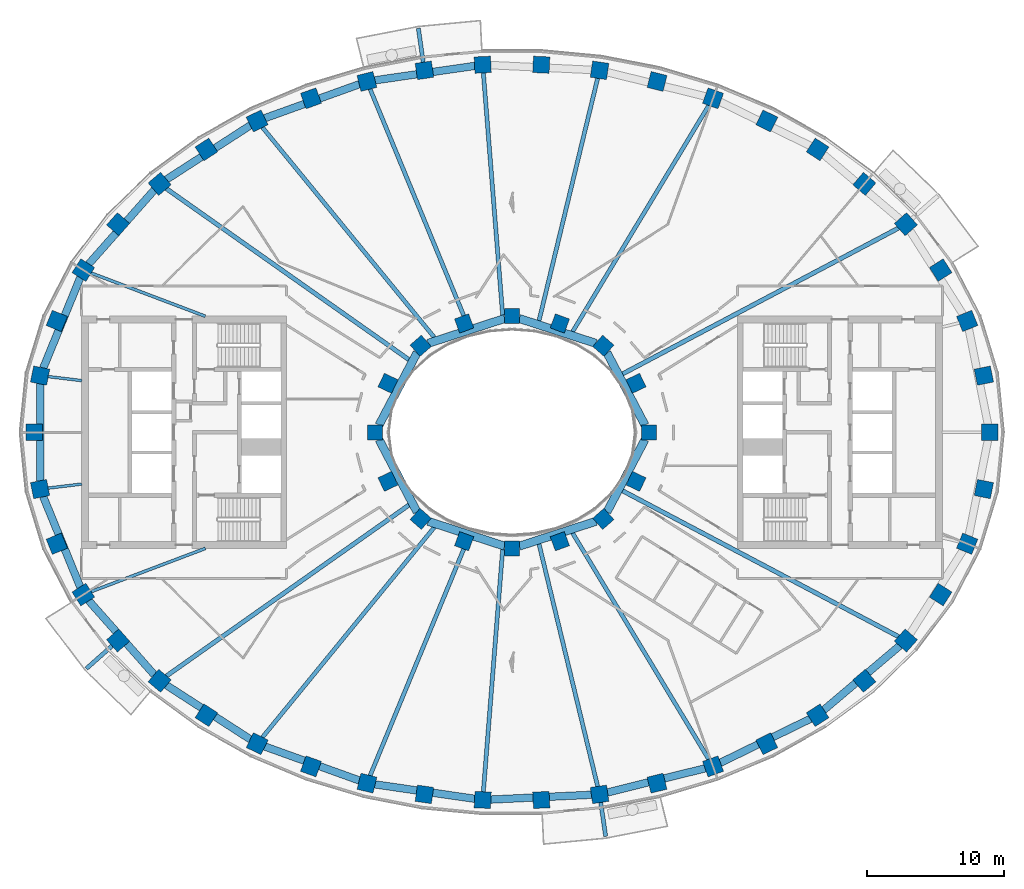
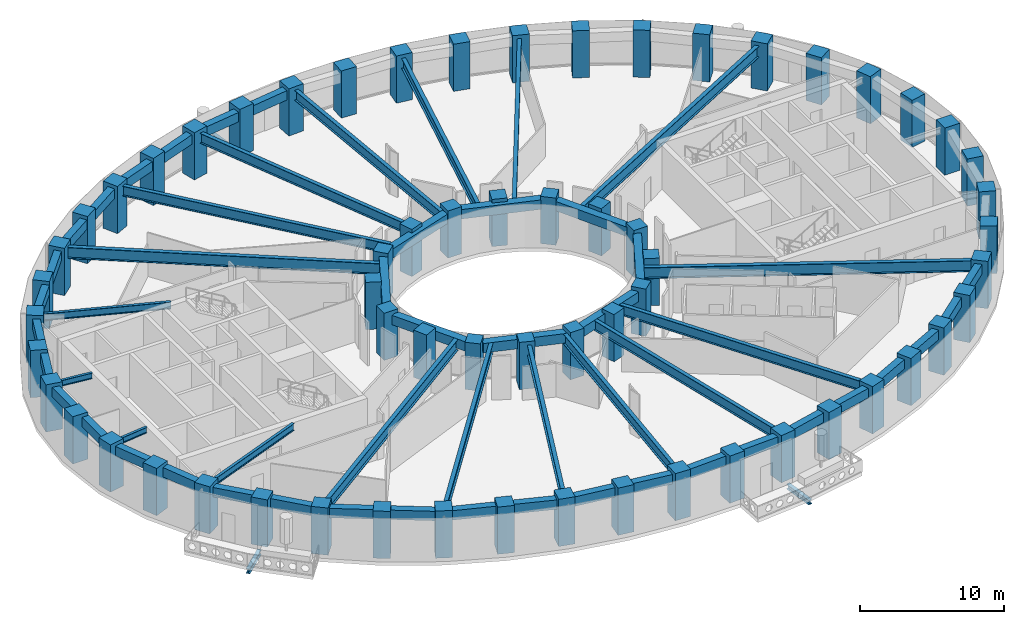
# One storey, part 1 of 16: 62 columns, 44 beams.
"""IFC4 building model written with IfcOpenShell, lengths in metres."""

from ifc_helpers import new_model, si_unit, direction, frame, origin, origin_2d, place, context, subcontext, project, spatial, rectangle, i_section, extrude, material, material_profile, profile_set, type_object, element, save


model = new_model("IFC4")

# Units and contexts
model_context = context("Model", 3, precision=1e-05, world=origin(), true_north=direction((0.0, 1.0)))
body_context = subcontext(model_context, "Body", "Model", "MODEL_VIEW")
ifc_project = project(units=[si_unit("LENGTHUNIT", "METRE"), si_unit("AREAUNIT", "SQUARE_METRE"), si_unit("VOLUMEUNIT", "CUBIC_METRE"), si_unit("PLANEANGLEUNIT", "RADIAN"), si_unit("MASSUNIT", "GRAM", prefix="KILO")], contexts=[model_context])

# Site, building, storey
site_placement = place(None, origin())
site = spatial("IfcSite", under=ifc_project, at=site_placement, CompositionType="ELEMENT")
building_placement = place(site_placement, origin())
building = spatial("IfcBuilding", under=site, at=building_placement, Name="Noorbagh Ring Tower", CompositionType="ELEMENT")
storey_placement = place(building_placement, frame((0.0, 0.0, 162.0)))
storey = spatial("IfcBuildingStorey", under=building, at=storey_placement, Name="L37", CompositionType="ELEMENT", Elevation=162.0)

# Columns
ifc_material_1 = material(Name="Concrete C60/75", Category="concrete")
ifc_material_profile_1 = material_profile(ifc_material_1, rectangle(XDim=1.199951171875, YDim=1.199951171875, at=origin_2d()), Name="RC1200x1200")
ifc_profile_set_1 = profile_set([ifc_material_profile_1], Name="Concrete C60/75")
column_type_1 = type_object("IfcColumnType", Name="STR-COL-RC1200x1200-C60-75", PredefinedType="COLUMN", material=ifc_profile_set_1)
for number, where, z_axis, x_axis, name in (
    (1, (34.944580078125, 0.0, 0.0), (0.0, 0.0, 1.0), (0.0, 1.0, 0.0), "L37/col/R1-01"),
    (2, (34.52685546875, 4.150634765625, 0.0), (0.0, 0.0, 1.0), (-0.19723040178, 0.9803571638, 0.0), "L37/col/R1-02"),
    (3, (33.30517578125, 8.1494140625, 0.0), (0.0, 0.0, 1.0), (-0.378989499959, 0.925400971969, 0.0), "L37/col/R1-03"),
    (4, (31.364990234375, 11.87109375, 0.0), (0.0, 0.0, 1.0), (-0.535190403059, 0.844731455833, 0.0), "L37/col/R1-04"),
    (5, (28.81884765625, 15.23046875, 0.0), (0.0, 0.0, 1.0), (-0.662635642662, 0.748941923699, 0.0), "L37/col/R1-05"),
    (6, (25.78271484375, 18.180419921875, 0.0), (0.0, 0.0, 1.0), (-0.763035199656, 0.646356932419, 0.0), "L37/col/R1-06"),
    (7, (22.362060546875, 20.699951171875, 0.0), (0.0, 0.0, 1.0), (-0.840247639643, 0.542202825586, 0.0), "L37/col/R1-07"),
    (8, (18.646240234375, 22.785400390625, 0.0), (0.0, 0.0, 1.0), (-0.898399080868, 0.439180021741, 0.0), "L37/col/R1-08"),
    (9, (14.70947265625, 24.44091796875, 0.0), (0.0, 0.0, 1.0), (-0.941024726094, 0.338337797003, 0.0), "L37/col/R1-09"),
    (10, (10.61328125, 25.673583984375, 0.0), (0.0, 0.0, 1.0), (-0.970829360981, 0.239771457553, 0.0), "L37/col/R1-10"),
    (11, (6.4091796875, 26.49072265625, 0.0), (0.0, 0.0, 1.0), (-0.989713114048, 0.143066249975, 0.0), "L37/col/R1-11"),
    (12, (2.14306640625, 26.89794921875, 0.0), (0.0, 0.0, 1.0), (-0.998868731212, 0.047552684538, 0.0), "L37/col/R1-12"),
    (13, (-2.14306640625, 26.89794921875, 0.0), (0.0, 0.0, 1.0), (-0.998868731212, -0.047552684538, 0.0), "L37/col/R1-13"),
    (14, (-6.4091796875, 26.49072265625, 0.0), (0.0, 0.0, 1.0), (-0.989713114048, -0.143066249975, 0.0), "L37/col/R1-14"),
    (15, (-10.61328125, 25.673583984375, 0.0), (0.0, 0.0, 1.0), (-0.970829360981, -0.239771457553, 0.0), "L37/col/R1-15"),
    (16, (-14.70947265625, 24.44091796875, 0.0), (0.0, 0.0, 1.0), (-0.941024726094, -0.338337797003, 0.0), "L37/col/R1-16"),
    (17, (-18.646240234375, 22.785400390625, 0.0), (0.0, 0.0, 1.0), (-0.898399080868, -0.439180021741, 0.0), "L37/col/R1-17"),
    (18, (-22.362060546875, 20.699951171875, 0.0), (0.0, 0.0, 1.0), (-0.840247639643, -0.542202825586, 0.0), "L37/col/R1-18"),
    (19, (-25.78271484375, 18.180419921875, 0.0), (0.0, 0.0, 1.0), (-0.763035199656, -0.646356932419, 0.0), "L37/col/R1-19"),
    (20, (-28.81884765625, 15.23046875, 0.0), (0.0, 0.0, 1.0), (-0.662635642662, -0.748941923699, 0.0), "L37/col/R1-20"),
    (21, (-31.364990234375, 11.87109375, 0.0), (0.0, 0.0, 1.0), (-0.535190403059, -0.844731455833, 0.0), "L37/col/R1-21"),
    (22, (-33.30517578125, 8.1494140625, 0.0), (0.0, 0.0, 1.0), (-0.378989499959, -0.925400971969, 0.0), "L37/col/R1-22"),
    (23, (-34.52685546875, 4.150634765625, 0.0), (0.0, 0.0, 1.0), (-0.19723040178, -0.9803571638, 0.0), "L37/col/R1-23"),
    (24, (-34.944580078125, 0.0, 0.0), (0.0, 0.0, 1.0), (0.0, -1.0, 0.0), "L37/col/R1-24"),
    (25, (-34.52685546875, -4.150634765625, 0.0), (0.0, 0.0, 1.0), (0.19723040178, -0.9803571638, 0.0), "L37/col/R1-25"),
    (26, (-33.30517578125, -8.1494140625, 0.0), (0.0, 0.0, 1.0), (0.378989499959, -0.925400971969, 0.0), "L37/col/R1-26"),
    (27, (-31.364990234375, -11.87109375, 0.0), (0.0, 0.0, 1.0), (0.535190403059, -0.844731455833, 0.0), "L37/col/R1-27"),
    (28, (-28.81884765625, -15.23046875, 0.0), (0.0, 0.0, 1.0), (0.662635642662, -0.748941923699, 0.0), "L37/col/R1-28"),
    (29, (-25.78271484375, -18.180419921875, 0.0), (0.0, 0.0, 1.0), (0.763035199656, -0.646356932419, 0.0), "L37/col/R1-29"),
    (30, (-22.362060546875, -20.699951171875, 0.0), (0.0, 0.0, 1.0), (0.840247639643, -0.542202825586, 0.0), "L37/col/R1-30"),
    (31, (-18.646240234375, -22.785400390625, 0.0), (0.0, 0.0, 1.0), (0.898399080868, -0.439180021741, 0.0), "L37/col/R1-31"),
    (32, (-14.70947265625, -24.44091796875, 0.0), (0.0, 0.0, 1.0), (0.941024726094, -0.338337797003, 0.0), "L37/col/R1-32"),
    (33, (-10.61328125, -25.673583984375, 0.0), (0.0, 0.0, 1.0), (0.970829360981, -0.239771457553, 0.0), "L37/col/R1-33"),
    (34, (-6.4091796875, -26.49072265625, 0.0), (0.0, 0.0, 1.0), (0.989713114048, -0.143066249975, 0.0), "L37/col/R1-34"),
    (35, (-2.14306640625, -26.89794921875, 0.0), (0.0, 0.0, 1.0), (0.998868731212, -0.047552684538, 0.0), "L37/col/R1-35"),
    (36, (2.14306640625, -26.89794921875, 0.0), (0.0, 0.0, 1.0), (0.998868731212, 0.047552684538, 0.0), "L37/col/R1-36"),
    (37, (6.4091796875, -26.49072265625, 0.0), (0.0, 0.0, 1.0), (0.989713114048, 0.143066249975, 0.0), "L37/col/R1-37"),
    (38, (10.61328125, -25.673583984375, 0.0), (0.0, 0.0, 1.0), (0.970829360981, 0.239771457553, 0.0), "L37/col/R1-38"),
    (39, (14.70947265625, -24.44091796875, 0.0), (0.0, 0.0, 1.0), (0.941024726094, 0.338337797003, 0.0), "L37/col/R1-39"),
    (40, (18.646240234375, -22.785400390625, 0.0), (0.0, 0.0, 1.0), (0.898399080868, 0.439180021741, 0.0), "L37/col/R1-40"),
    (41, (22.362060546875, -20.699951171875, 0.0), (0.0, 0.0, 1.0), (0.840247639643, 0.542202825586, 0.0), "L37/col/R1-41"),
    (42, (25.78271484375, -18.180419921875, 0.0), (0.0, 0.0, 1.0), (0.763035199656, 0.646356932419, 0.0), "L37/col/R1-42"),
    (43, (28.81884765625, -15.23046875, 0.0), (0.0, 0.0, 1.0), (0.662635642662, 0.748941923699, 0.0), "L37/col/R1-43"),
    (44, (31.364990234375, -11.87109375, 0.0), (0.0, 0.0, 1.0), (0.535190403059, 0.844731455833, 0.0), "L37/col/R1-44"),
    (45, (33.30517578125, -8.1494140625, 0.0), (0.0, 0.0, 1.0), (0.378989499959, 0.925400971969, 0.0), "L37/col/R1-45"),
    (46, (34.52685546875, -4.150634765625, 0.0), (0.0, 0.0, 1.0), (0.19723040178, 0.9803571638, 0.0), "L37/col/R1-46"),
):
    element("IfcColumn", number, at=place(storey_placement, frame(where, z_axis=z_axis, x_axis=x_axis)), inside=storey, type_object=column_type_1, Name=name, PredefinedType="COLUMN", context=body_context, shape_type="SweptSolid", body=[
        extrude(rectangle(XDim=1.199951171875, YDim=1.199951171875, at=origin_2d()), origin(), (0.0, 0.0, 1.0), 4.0),
    ])
ifc_material_2 = material(Name="Concrete C60/75", Category="concrete")
ifc_material_profile_2 = material_profile(ifc_material_2, rectangle(XDim=1.10009765625, YDim=1.10009765625, at=origin_2d()), Name="RC1100x1100")
ifc_profile_set_2 = profile_set([ifc_material_profile_2], Name="Concrete C60/75")
column_type_2 = type_object("IfcColumnType", Name="STR-ICOL-RC1100x1100-C60-75", PredefinedType="COLUMN", material=ifc_profile_set_2)
for number, where, z_axis, x_axis, name in (
    (47, (10.00830078125, 0.0, 0.0), (0.0, 0.0, 1.0), (0.0, 1.0, 0.0), "L37/col/IR2-W01"),
    (48, (9.07568359375, 3.58837890625, 0.0), (0.0, 0.0, 1.0), (-0.428666979171, 0.903462573087, 0.0), "L37/col/IR2-W03"),
    (49, (6.68212890625, 6.333740234375, 0.0), (0.0, 0.0, 1.0), (-0.75102249095, 0.660276622399, 0.0), "L37/col/IR2-W05"),
    (50, (3.5009765625, 7.967041015625, 0.0), (0.0, 0.0, 1.0), (-0.939019578916, 0.343863679984, 0.0), "L37/col/IR2-W07"),
    (51, (0.0, 8.5029296875, 0.0), (0.0, 0.0, 1.0), (-1.0, 0.0, 0.0), "L37/col/IR2-W09"),
    (52, (-3.5009765625, 7.967041015625, 0.0), (0.0, 0.0, 1.0), (-0.939019578916, -0.343863679984, 0.0), "L37/col/IR2-W11"),
    (53, (-6.68212890625, 6.333740234375, 0.0), (0.0, 0.0, 1.0), (-0.75102249095, -0.660276622399, 0.0), "L37/col/IR2-W13"),
    (54, (-9.07568359375, 3.58837890625, 0.0), (0.0, 0.0, 1.0), (-0.428666979171, -0.903462573087, 0.0), "L37/col/IR2-W15"),
    (55, (-10.00830078125, 0.0, 0.0), (0.0, 0.0, 1.0), (0.0, -1.0, 0.0), "L37/col/IR2-W17"),
    (56, (-9.07568359375, -3.58837890625, 0.0), (0.0, 0.0, 1.0), (0.428666979171, -0.903462573087, 0.0), "L37/col/IR2-W19"),
    (57, (-6.68212890625, -6.333740234375, 0.0), (0.0, 0.0, 1.0), (0.75102249095, -0.660276622399, 0.0), "L37/col/IR2-W21"),
    (58, (-3.5009765625, -7.967041015625, 0.0), (0.0, 0.0, 1.0), (0.939019578916, -0.343863679984, 0.0), "L37/col/IR2-W23"),
    (59, (0.0, -8.5029296875, 0.0), (0.0, 0.0, 1.0), (1.0, 0.0, 0.0), "L37/col/IR2-W25"),
    (60, (3.5009765625, -7.967041015625, 0.0), (0.0, 0.0, 1.0), (0.939019578916, 0.343863679984, 0.0), "L37/col/IR2-W27"),
    (61, (6.68212890625, -6.333740234375, 0.0), (0.0, 0.0, 1.0), (0.75102249095, 0.660276622399, 0.0), "L37/col/IR2-W29"),
    (62, (9.07568359375, -3.58837890625, 0.0), (0.0, 0.0, 1.0), (0.428666979171, 0.903462573087, 0.0), "L37/col/IR2-W31"),
):
    element("IfcColumn", number, at=place(storey_placement, frame(where, z_axis=z_axis, x_axis=x_axis)), inside=storey, type_object=column_type_2, Name=name, PredefinedType="COLUMN", context=body_context, shape_type="SweptSolid", body=[
        extrude(rectangle(XDim=1.10009765625, YDim=1.10009765625, at=origin_2d()), origin(), (0.0, 0.0, 1.0), 4.0),
    ])

# Beams
ifc_material_3 = material(Name="Steel S355", Category="steel")
ifc_material_profile_3 = material_profile(ifc_material_3, i_section(OverallWidth=0.300048828125, OverallDepth=0.39990234375, WebThickness=0.013427734375, FlangeThickness=0.02392578125, FilletRadius=0.027099609375, at=origin_2d()), Name="HEB400")
ifc_profile_set_3 = profile_set([ifc_material_profile_3], Name="Steel S355")
beam_type_1 = type_object("IfcBeamType", Name="STR-BALCONY-BRACKET-HEB400", PredefinedType="BEAM", material=ifc_profile_set_3)
beam_1_placement = place(storey_placement, frame((-6.4921875, 27.06494140625, -0.5), z_axis=(-0.143073420259, 0.989712077533, 0.0), x_axis=(-0.989712077533, -0.143073420259, 0.0)))
element("IfcBeam", 63, at=beam_1_placement, inside=storey, type_object=beam_type_1, Name="Balcony bracket beam BN04", PredefinedType="BEAM", context=body_context, shape_type="SweptSolid", body=[
    extrude(i_section(OverallWidth=0.300048828125, OverallDepth=0.39990234375, WebThickness=0.013427734375, FlangeThickness=0.02392578125, FilletRadius=0.027099609375, at=origin_2d()), origin(), (0.0, 0.0, 1.0), 2.523681640625),
])
beam_2_placement = place(storey_placement, frame((-29.253173828125, -15.61474609375, -0.5), z_axis=(-0.749068405178, -0.662492659856, 0.0), x_axis=(0.662492659856, -0.749068405178, 0.0)))
element("IfcBeam", 64, at=beam_2_placement, inside=storey, type_object=beam_type_1, Name="Balcony bracket beam BS01", PredefinedType="BEAM", context=body_context, shape_type="SweptSolid", body=[
    extrude(i_section(OverallWidth=0.300048828125, OverallDepth=0.39990234375, WebThickness=0.013427734375, FlangeThickness=0.02392578125, FilletRadius=0.027099609375, at=origin_2d()), origin(), (0.0, 0.0, 1.0), 2.529541015625),
])
beam_3_placement = place(storey_placement, frame((6.4921875, -27.06494140625, -0.5), z_axis=(0.143073420259, -0.989712077533, 0.0), x_axis=(0.989712077533, 0.143073420259, 0.0)))
element("IfcBeam", 65, at=beam_3_placement, inside=storey, type_object=beam_type_1, Name="Balcony bracket beam BS04", PredefinedType="BEAM", context=body_context, shape_type="SweptSolid", body=[
    extrude(i_section(OverallWidth=0.300048828125, OverallDepth=0.39990234375, WebThickness=0.013427734375, FlangeThickness=0.02392578125, FilletRadius=0.027099609375, at=origin_2d()), origin(), (0.0, 0.0, 1.0), 2.523681640625),
])
ifc_material_4 = material(Name="Steel S355", Category="steel")
ifc_material_profile_4 = material_profile(ifc_material_4, i_section(OverallWidth=0.199951171875, OverallDepth=0.5, WebThickness=0.01025390625, FlangeThickness=0.01611328125, FilletRadius=0.02099609375, at=origin_2d()), Name="IPE500")
ifc_profile_set_4 = profile_set([ifc_material_profile_4], Name="Steel S355")
beam_type_2 = type_object("IfcBeamType", Name="STR-RAD-IPE500", PredefinedType="BEAM", material=ifc_profile_set_4)
for number, where, z_axis, x_axis, name in (
    (66, (-33.948974609375, 4.081298828125, 3.449951171875), (0.992847073299, -0.119393002485, 0.0), (0.119393002485, 0.992847073299, 0.0), "L37/bm/RD23"),
    (67, (-33.948974609375, -4.081298828125, 3.449951171875), (0.992847073299, 0.119393002485, 0.0), (-0.119393002485, 0.992847073299, 0.0), "L37/bm/RD25"),
):
    element("IfcBeam", number, at=place(storey_placement, frame(where, z_axis=z_axis, x_axis=x_axis)), inside=storey, type_object=beam_type_2, Name=name, PredefinedType="BEAM", context=body_context, shape_type="SweptSolid", body=[
        extrude(i_section(OverallWidth=0.199951171875, OverallDepth=0.5, WebThickness=0.01025390625, FlangeThickness=0.01611328125, FilletRadius=0.02099609375, at=origin_2d()), origin(), (0.0, 0.0, 1.0), 2.486572265625),
    ])
ifc_material_5 = material(Name="Steel S355", Category="steel")
ifc_material_profile_5 = material_profile(ifc_material_5, i_section(OverallWidth=0.219970703125, OverallDepth=0.60009765625, WebThickness=0.011962890625, FlangeThickness=0.01904296875, FilletRadius=0.02392578125, at=origin_2d()), Name="IPE600")
ifc_profile_set_5 = profile_set([ifc_material_profile_5], Name="Steel S355")
beam_type_3 = type_object("IfcBeamType", Name="STR-RAD-IPE600", PredefinedType="BEAM", material=ifc_profile_set_5)
for number, where, z_axis, x_axis, name in (
    (68, (-30.810791015625, 11.6611328125, 3.39990234375), (0.935257705558, -0.35396754681, 0.0), (0.35396754681, 0.935257705558, 0.0), "L37/bm/RD21"),
    (69, (-30.810791015625, -11.6611328125, 3.39990234375), (0.935257705558, 0.35396754681, 0.0), (-0.35396754681, 0.935257705558, 0.0), "L37/bm/RD27"),
):
    element("IfcBeam", number, at=place(storey_placement, frame(where, z_axis=z_axis, x_axis=x_axis)), inside=storey, type_object=beam_type_3, Name=name, PredefinedType="BEAM", context=body_context, shape_type="SweptSolid", body=[
        extrude(i_section(OverallWidth=0.219970703125, OverallDepth=0.60009765625, WebThickness=0.011962890625, FlangeThickness=0.01904296875, FilletRadius=0.02392578125, at=origin_2d()), origin(), (0.0, 0.0, 1.0), 8.95068359375),
    ])
ifc_material_6 = material(Name="Steel S355", Category="steel")
ifc_material_profile_6 = material_profile(ifc_material_6, i_section(OverallWidth=0.300048828125, OverallDepth=0.85009765625, WebThickness=0.013916015625, FlangeThickness=0.028076171875, at=origin_2d()), Name="PG850x300x14x28")
ifc_profile_set_6 = profile_set([ifc_material_profile_6], Name="Steel S355")
beam_type_4 = type_object("IfcBeamType", Name="STR-RAD-PG850x300x14x28", PredefinedType="BEAM", material=ifc_profile_set_6)
beam_4_placement = place(storey_placement, frame((14.404296875, 23.933837890625, 3.27490234375), z_axis=(-0.515653442321, -0.856797249892, 0.0), x_axis=(0.856797249892, -0.515653442321, 0.0)))
element("IfcBeam", 70, at=beam_4_placement, inside=storey, type_object=beam_type_4, Name="L37/bm/RD09", PredefinedType="BEAM", context=body_context, shape_type="SweptSolid", body=[
    extrude(i_section(OverallWidth=0.300048828125, OverallDepth=0.85009765625, WebThickness=0.013916015625, FlangeThickness=0.028076171875, at=origin_2d()), origin(), (0.0, 0.0, 1.0), 19.343994140625),
])
beam_5_placement = place(storey_placement, frame((6.272216796875, 25.924560546875, 3.27490234375), z_axis=(-0.235159659646, -0.971956755455, 0.0), x_axis=(0.971956755455, -0.235159659646, 0.0)))
element("IfcBeam", 71, at=beam_5_placement, inside=storey, type_object=beam_type_4, Name="L37/bm/RD11", PredefinedType="BEAM", context=body_context, shape_type="SweptSolid", body=[
    extrude(i_section(OverallWidth=0.300048828125, OverallDepth=0.85009765625, WebThickness=0.013916015625, FlangeThickness=0.028076171875, at=origin_2d()), origin(), (0.0, 0.0, 1.0), 18.280517578125),
])
beam_6_placement = place(storey_placement, frame((-2.09716796875, 26.319580078125, 3.27490234375), z_axis=(0.079428488964, -0.996840566561, 0.0), x_axis=(0.996840566561, 0.079428488964, 0.0)))
element("IfcBeam", 72, at=beam_6_placement, inside=storey, type_object=beam_type_4, Name="L37/bm/RD13", PredefinedType="BEAM", context=body_context, shape_type="SweptSolid", body=[
    extrude(i_section(OverallWidth=0.300048828125, OverallDepth=0.85009765625, WebThickness=0.013916015625, FlangeThickness=0.028076171875, at=origin_2d()), origin(), (0.0, 0.0, 1.0), 17.7998046875),
])
beam_7_placement = place(storey_placement, frame((-10.388916015625, 25.13134765625, 3.27490234375), z_axis=(0.382025650428, -0.924151720452, 0.0), x_axis=(0.924151720452, 0.382025650428, 0.0)))
element("IfcBeam", 73, at=beam_7_placement, inside=storey, type_object=beam_type_4, Name="L37/bm/RD15", PredefinedType="BEAM", context=body_context, shape_type="SweptSolid", body=[
    extrude(i_section(OverallWidth=0.300048828125, OverallDepth=0.85009765625, WebThickness=0.013916015625, FlangeThickness=0.028076171875, at=origin_2d()), origin(), (0.0, 0.0, 1.0), 18.80078125),
])
for number, where, z_axis, x_axis, name in (
    (74, (-18.2685546875, 22.32373046875, 3.27490234375), (0.633310075039, -0.773898151474, 0.0), (0.773898151474, 0.633310075039, 0.0), "L37/bm/RD17"),
    (75, (-18.2685546875, -22.32373046875, 3.27490234375), (0.633310075039, 0.773898151474, 0.0), (-0.773898151474, 0.633310075039, 0.0), "L37/bm/RD31"),
):
    element("IfcBeam", number, at=place(storey_placement, frame(where, z_axis=z_axis, x_axis=x_axis)), inside=storey, type_object=beam_type_4, Name=name, PredefinedType="BEAM", context=body_context, shape_type="SweptSolid", body=[
        extrude(i_section(OverallWidth=0.300048828125, OverallDepth=0.85009765625, WebThickness=0.013916015625, FlangeThickness=0.028076171875, at=origin_2d()), origin(), (0.0, 0.0, 1.0), 19.86279296875),
    ])
beam_8_placement = place(storey_placement, frame((-10.388916015625, -25.13134765625, 3.27490234375), z_axis=(0.382025650428, 0.924151720452, 0.0), x_axis=(-0.924151720452, 0.382025650428, 0.0)))
element("IfcBeam", 76, at=beam_8_placement, inside=storey, type_object=beam_type_4, Name="L37/bm/RD33", PredefinedType="BEAM", context=body_context, shape_type="SweptSolid", body=[
    extrude(i_section(OverallWidth=0.300048828125, OverallDepth=0.85009765625, WebThickness=0.013916015625, FlangeThickness=0.028076171875, at=origin_2d()), origin(), (0.0, 0.0, 1.0), 18.80078125),
])
beam_9_placement = place(storey_placement, frame((-2.09716796875, -26.319580078125, 3.27490234375), z_axis=(0.079428488964, 0.996840566561, 0.0), x_axis=(-0.996840566561, 0.079428488964, 0.0)))
element("IfcBeam", 77, at=beam_9_placement, inside=storey, type_object=beam_type_4, Name="L37/bm/RD35", PredefinedType="BEAM", context=body_context, shape_type="SweptSolid", body=[
    extrude(i_section(OverallWidth=0.300048828125, OverallDepth=0.85009765625, WebThickness=0.013916015625, FlangeThickness=0.028076171875, at=origin_2d()), origin(), (0.0, 0.0, 1.0), 17.7998046875),
])
beam_10_placement = place(storey_placement, frame((6.272216796875, -25.924560546875, 3.27490234375), z_axis=(-0.235159659646, 0.971956755455, 0.0), x_axis=(-0.971956755455, -0.235159659646, 0.0)))
element("IfcBeam", 78, at=beam_10_placement, inside=storey, type_object=beam_type_4, Name="L37/bm/RD37", PredefinedType="BEAM", context=body_context, shape_type="SweptSolid", body=[
    extrude(i_section(OverallWidth=0.300048828125, OverallDepth=0.85009765625, WebThickness=0.013916015625, FlangeThickness=0.028076171875, at=origin_2d()), origin(), (0.0, 0.0, 1.0), 18.280517578125),
])
beam_11_placement = place(storey_placement, frame((14.404296875, -23.933837890625, 3.27490234375), z_axis=(-0.515653442321, 0.856797249892, 0.0), x_axis=(-0.856797249892, -0.515653442321, 0.0)))
element("IfcBeam", 79, at=beam_11_placement, inside=storey, type_object=beam_type_4, Name="L37/bm/RD39", PredefinedType="BEAM", context=body_context, shape_type="SweptSolid", body=[
    extrude(i_section(OverallWidth=0.300048828125, OverallDepth=0.85009765625, WebThickness=0.013916015625, FlangeThickness=0.028076171875, at=origin_2d()), origin(), (0.0, 0.0, 1.0), 19.343994140625),
])
ifc_material_7 = material(Name="Steel S355", Category="steel")
ifc_material_profile_7 = material_profile(ifc_material_7, i_section(OverallWidth=0.320068359375, OverallDepth=0.949951171875, WebThickness=0.01611328125, FlangeThickness=0.030029296875, at=origin_2d()), Name="PG950x320x16x30")
ifc_profile_set_7 = profile_set([ifc_material_profile_7], Name="Steel S355")
beam_type_5 = type_object("IfcBeamType", Name="STR-RAD-PG950x320x16x30", PredefinedType="BEAM", material=ifc_profile_set_7)
beam_12_placement = place(storey_placement, frame((28.29052734375, 14.951416015625, 3.22509765625), z_axis=(-0.88411920944, -0.467261408099, 0.0), x_axis=(0.467261408099, -0.88411920944, 0.0)))
element("IfcBeam", 80, at=beam_12_placement, inside=storey, type_object=beam_type_5, Name="L37/bm/RD05", PredefinedType="BEAM", context=body_context, shape_type="SweptSolid", body=[
    extrude(i_section(OverallWidth=0.320068359375, OverallDepth=0.949951171875, WebThickness=0.01611328125, FlangeThickness=0.030029296875, at=origin_2d()), origin(), (0.0, 0.0, 1.0), 22.857421875),
])
for number, where, z_axis, x_axis, name in (
    (81, (-25.29248046875, 17.834716796875, 3.22509765625), (0.817253927646, -0.576277726229, 0.0), (0.576277726229, 0.817253927646, 0.0), "L37/bm/RD19"),
    (82, (-25.29248046875, -17.834716796875, 3.22509765625), (0.817253927646, 0.576277726229, 0.0), (-0.576277726229, 0.817253927646, 0.0), "L37/bm/RD29"),
):
    element("IfcBeam", number, at=place(storey_placement, frame(where, z_axis=z_axis, x_axis=x_axis)), inside=storey, type_object=beam_type_5, Name=name, PredefinedType="BEAM", context=body_context, shape_type="SweptSolid", body=[
        extrude(i_section(OverallWidth=0.320068359375, OverallDepth=0.949951171875, WebThickness=0.01611328125, FlangeThickness=0.030029296875, at=origin_2d()), origin(), (0.0, 0.0, 1.0), 21.728515625),
    ])
beam_13_placement = place(storey_placement, frame((28.29052734375, -14.951416015625, 3.22509765625), z_axis=(-0.88411920944, 0.467261408099, 0.0), x_axis=(-0.467261408099, -0.88411920944, 0.0)))
element("IfcBeam", 83, at=beam_13_placement, inside=storey, type_object=beam_type_5, Name="L37/bm/RD43", PredefinedType="BEAM", context=body_context, shape_type="SweptSolid", body=[
    extrude(i_section(OverallWidth=0.320068359375, OverallDepth=0.949951171875, WebThickness=0.01611328125, FlangeThickness=0.030029296875, at=origin_2d()), origin(), (0.0, 0.0, 1.0), 22.857421875),
])
ifc_material_8 = material(Name="Concrete C40/50", Category="concrete")
ifc_material_profile_8 = material_profile(ifc_material_8, rectangle(XDim=0.60009765625, YDim=0.800048828125, at=origin_2d()), Name="RC600x800")
ifc_profile_set_8 = profile_set([ifc_material_profile_8], Name="Concrete C40/50")
beam_type_6 = type_object("IfcBeamType", Name="STR-RB-RC600x800-C40-50", PredefinedType="BEAM", material=ifc_profile_set_8)
beam_14_placement = place(storey_placement, frame((9.728759765625, 0.5322265625, 3.300048828125), z_axis=(-0.464913857529, 0.885355919999, 0.0), x_axis=(-0.885355919999, -0.464913857529, 0.0)))
element("IfcBeam", 84, at=beam_14_placement, inside=storey, type_object=beam_type_6, Name="L37/bm/RG01", PredefinedType="BEAM", context=body_context, shape_type="SweptSolid", body=[
    extrude(rectangle(XDim=0.60009765625, YDim=0.800048828125, at=origin_2d()), origin(), (0.0, 0.0, 1.0), 5.98388671875),
])
for number, where, z_axis, x_axis, name in (
    (85, (6.13134765625, 6.512451171875, 3.300048828125), (-0.95113365854, 0.308779474046, 0.0), (-0.308779474046, -0.95113365854, 0.0), "L37/bm/RG03"),
    (86, (-0.531005859375, 8.33056640625, 3.300048828125), (-0.95113365854, -0.308779474046, 0.0), (0.308779474046, -0.95113365854, 0.0), "L37/bm/RG05"),
):
    element("IfcBeam", number, at=place(storey_placement, frame(where, z_axis=z_axis, x_axis=x_axis)), inside=storey, type_object=beam_type_6, Name=name, PredefinedType="BEAM", context=body_context, shape_type="SweptSolid", body=[
        extrude(rectangle(XDim=0.60009765625, YDim=0.800048828125, at=origin_2d()), origin(), (0.0, 0.0, 1.0), 5.88818359375),
    ])
for number, where, z_axis, x_axis, name in (
    (87, (-6.94677734375, 5.830078125, 3.300048828125), (-0.464913857529, -0.885355919999, 0.0), (0.885355919999, -0.464913857529, 0.0), "L37/bm/RG07"),
    (88, (-9.728759765625, -0.5322265625, 3.300048828125), (0.464913857529, -0.885355919999, 0.0), (0.885355919999, 0.464913857529, 0.0), "L37/bm/RG09"),
):
    element("IfcBeam", number, at=place(storey_placement, frame(where, z_axis=z_axis, x_axis=x_axis)), inside=storey, type_object=beam_type_6, Name=name, PredefinedType="BEAM", context=body_context, shape_type="SweptSolid", body=[
        extrude(rectangle(XDim=0.60009765625, YDim=0.800048828125, at=origin_2d()), origin(), (0.0, 0.0, 1.0), 5.98388671875),
    ])
for number, where, z_axis, x_axis, name in (
    (89, (-6.13134765625, -6.512451171875, 3.300048828125), (0.95113365854, -0.308779474046, 0.0), (0.308779474046, 0.95113365854, 0.0), "L37/bm/RG11"),
    (90, (0.531005859375, -8.33056640625, 3.300048828125), (0.95113365854, 0.308779474046, 0.0), (-0.308779474046, 0.95113365854, 0.0), "L37/bm/RG13"),
):
    element("IfcBeam", number, at=place(storey_placement, frame(where, z_axis=z_axis, x_axis=x_axis)), inside=storey, type_object=beam_type_6, Name=name, PredefinedType="BEAM", context=body_context, shape_type="SweptSolid", body=[
        extrude(rectangle(XDim=0.60009765625, YDim=0.800048828125, at=origin_2d()), origin(), (0.0, 0.0, 1.0), 5.88818359375),
    ])
beam_15_placement = place(storey_placement, frame((6.94677734375, -5.830078125, 3.300048828125), z_axis=(0.464913857529, 0.885355919999, 0.0), x_axis=(-0.885355919999, 0.464913857529, 0.0)))
element("IfcBeam", 91, at=beam_15_placement, inside=storey, type_object=beam_type_6, Name="L37/bm/RG15", PredefinedType="BEAM", context=body_context, shape_type="SweptSolid", body=[
    extrude(rectangle(XDim=0.60009765625, YDim=0.800048828125, at=origin_2d()), origin(), (0.0, 0.0, 1.0), 5.98388671875),
])
ifc_material_9 = material(Name="Concrete C40/50", Category="concrete")
ifc_material_profile_9 = material_profile(ifc_material_9, rectangle(XDim=0.550048828125, YDim=0.800048828125, at=origin_2d()), Name="RC550x800")
ifc_profile_set_9 = profile_set([ifc_material_profile_9], Name="Concrete C40/50")
beam_type_7 = type_object("IfcBeamType", Name="STR-SB-RC550x800-C40-50", PredefinedType="BEAM", material=ifc_profile_set_9)
beam_16_placement = place(storey_placement, frame((-2.719970703125, 26.814697265625, 3.300048828125), z_axis=(-0.989712982551, -0.143067159651, 0.0), x_axis=(0.143067159651, -0.989712982551, 0.0)))
element("IfcBeam", 92, at=beam_16_placement, inside=storey, type_object=beam_type_7, Name="L37/bm/SP13", PredefinedType="BEAM", context=body_context, shape_type="SweptSolid", body=[
    extrude(rectangle(XDim=0.550048828125, YDim=0.800048828125, at=origin_2d()), origin(), (0.0, 0.0, 1.0), 7.392333984375),
])
beam_17_placement = place(storey_placement, frame((-11.162109375, 25.476318359375, 3.300048828125), z_axis=(-0.941026272099, -0.338333497041, 0.0), x_axis=(0.338333497041, -0.941026272099, 0.0)))
element("IfcBeam", 93, at=beam_17_placement, inside=storey, type_object=beam_type_7, Name="L37/bm/SP15", PredefinedType="BEAM", context=body_context, shape_type="SweptSolid", body=[
    extrude(rectangle(XDim=0.550048828125, YDim=0.800048828125, at=origin_2d()), origin(), (0.0, 0.0, 1.0), 7.36962890625),
])
beam_18_placement = place(storey_placement, frame((-19.13720703125, 22.468505859375, 3.300048828125), z_axis=(-0.840250107942, -0.542199000463, 0.0), x_axis=(0.542199000463, -0.840250107942, 0.0)))
element("IfcBeam", 94, at=beam_18_placement, inside=storey, type_object=beam_type_7, Name="L37/bm/SP17", PredefinedType="BEAM", context=body_context, shape_type="SweptSolid", body=[
    extrude(rectangle(XDim=0.550048828125, YDim=0.800048828125, at=origin_2d()), origin(), (0.0, 0.0, 1.0), 7.32373046875),
])
beam_19_placement = place(storey_placement, frame((-26.171142578125, 17.7412109375, 3.300048828125), z_axis=(-0.662637815304, -0.748940001422, 0.0), x_axis=(0.748940001422, -0.662637815304, 0.0)))
element("IfcBeam", 95, at=beam_19_placement, inside=storey, type_object=beam_type_7, Name="L37/bm/SP19", PredefinedType="BEAM", context=body_context, shape_type="SweptSolid", body=[
    extrude(rectangle(XDim=0.550048828125, YDim=0.800048828125, at=origin_2d()), origin(), (0.0, 0.0, 1.0), 7.25048828125),
])
beam_20_placement = place(storey_placement, frame((-31.58837890625, 11.325439453125, 3.300048828125), z_axis=(-0.378983224539, -0.925403541985, 0.0), x_axis=(0.925403541985, -0.378983224539, 0.0)))
element("IfcBeam", 96, at=beam_20_placement, inside=storey, type_object=beam_type_7, Name="L37/bm/SP21", PredefinedType="BEAM", context=body_context, shape_type="SweptSolid", body=[
    extrude(rectangle(XDim=0.550048828125, YDim=0.800048828125, at=origin_2d()), origin(), (0.0, 0.0, 1.0), 7.162109375),
])
beam_21_placement = place(storey_placement, frame((-34.52685546875, 3.55859375, 3.300048828125), z_axis=(0.0, -1.0, 0.0), x_axis=(1.0, 0.0, 0.0)))
element("IfcBeam", 97, at=beam_21_placement, inside=storey, type_object=beam_type_7, Name="L37/bm/SP23", PredefinedType="BEAM", context=body_context, shape_type="SweptSolid", body=[
    extrude(rectangle(XDim=0.550048828125, YDim=0.800048828125, at=origin_2d()), origin(), (0.0, 0.0, 1.0), 7.1171875),
])
beam_22_placement = place(storey_placement, frame((-34.302734375, -4.697509765625, 3.300048828125), z_axis=(0.378983224539, -0.925403541985, 0.0), x_axis=(0.925403541985, 0.378983224539, 0.0)))
element("IfcBeam", 98, at=beam_22_placement, inside=storey, type_object=beam_type_7, Name="L37/bm/SP25", PredefinedType="BEAM", context=body_context, shape_type="SweptSolid", body=[
    extrude(rectangle(XDim=0.550048828125, YDim=0.800048828125, at=origin_2d()), origin(), (0.0, 0.0, 1.0), 7.162109375),
])
beam_23_placement = place(storey_placement, frame((-30.9755859375, -12.31103515625, 3.300048828125), z_axis=(0.662637815304, -0.748940001422, 0.0), x_axis=(0.748940001422, 0.662637815304, 0.0)))
element("IfcBeam", 99, at=beam_23_placement, inside=storey, type_object=beam_type_7, Name="L37/bm/SP27", PredefinedType="BEAM", context=body_context, shape_type="SweptSolid", body=[
    extrude(rectangle(XDim=0.550048828125, YDim=0.800048828125, at=origin_2d()), origin(), (0.0, 0.0, 1.0), 7.25048828125),
])
beam_24_placement = place(storey_placement, frame((-25.291015625, -18.49755859375, 3.300048828125), z_axis=(0.840250107942, -0.542199000463, 0.0), x_axis=(0.542199000463, 0.840250107942, 0.0)))
element("IfcBeam", 100, at=beam_24_placement, inside=storey, type_object=beam_type_7, Name="L37/bm/SP29", PredefinedType="BEAM", context=body_context, shape_type="SweptSolid", body=[
    extrude(rectangle(XDim=0.550048828125, YDim=0.800048828125, at=origin_2d()), origin(), (0.0, 0.0, 1.0), 7.32373046875),
])
beam_25_placement = place(storey_placement, frame((-18.09716796875, -22.98291015625, 3.300048828125), z_axis=(0.941026272099, -0.338333497041, 0.0), x_axis=(0.338333497041, 0.941026272099, 0.0)))
element("IfcBeam", 101, at=beam_25_placement, inside=storey, type_object=beam_type_7, Name="L37/bm/SP31", PredefinedType="BEAM", context=body_context, shape_type="SweptSolid", body=[
    extrude(rectangle(XDim=0.550048828125, YDim=0.800048828125, at=origin_2d()), origin(), (0.0, 0.0, 1.0), 7.36962890625),
])
beam_26_placement = place(storey_placement, frame((-10.036376953125, -25.757080078125, 3.300048828125), z_axis=(0.989712982551, -0.143067159651, 0.0), x_axis=(0.143067159651, 0.989712982551, 0.0)))
element("IfcBeam", 102, at=beam_26_placement, inside=storey, type_object=beam_type_7, Name="L37/bm/SP33", PredefinedType="BEAM", context=body_context, shape_type="SweptSolid", body=[
    extrude(rectangle(XDim=0.550048828125, YDim=0.800048828125, at=origin_2d()), origin(), (0.0, 0.0, 1.0), 7.392333984375),
])
beam_27_placement = place(storey_placement, frame((-1.56103515625, -26.870361328125, 3.300048828125), z_axis=(0.9988682124, 0.047563581193, 0.0), x_axis=(-0.047563581193, 0.9988682124, 0.0)))
element("IfcBeam", 103, at=beam_27_placement, inside=storey, type_object=beam_type_7, Name="L37/bm/SP35", PredefinedType="BEAM", context=body_context, shape_type="SweptSolid", body=[
    extrude(rectangle(XDim=0.550048828125, YDim=0.800048828125, at=origin_2d()), origin(), (0.0, 0.0, 1.0), 7.396484375),
])
beam_28_placement = place(storey_placement, frame((6.97509765625, -26.35107421875, 3.300048828125), z_axis=(0.970832897369, 0.239757138341, 0.0), x_axis=(-0.239757138341, 0.970832897369, 0.0)))
element("IfcBeam", 104, at=beam_28_placement, inside=storey, type_object=beam_type_7, Name="L37/bm/SP37", PredefinedType="BEAM", context=body_context, shape_type="SweptSolid", body=[
    extrude(rectangle(XDim=0.550048828125, YDim=0.800048828125, at=origin_2d()), origin(), (0.0, 0.0, 1.0), 7.383544921875),
])
beam_29_placement = place(storey_placement, frame((15.23388671875, -24.1845703125, 3.300048828125), z_axis=(0.898397175695, 0.439183918994, 0.0), x_axis=(-0.439183918994, 0.898397175695, 0.0)))
element("IfcBeam", 105, at=beam_29_placement, inside=storey, type_object=beam_type_7, Name="L37/bm/SP39", PredefinedType="BEAM", context=body_context, shape_type="SweptSolid", body=[
    extrude(rectangle(XDim=0.550048828125, YDim=0.800048828125, at=origin_2d()), origin(), (0.0, 0.0, 1.0), 7.35009765625),
])
beam_30_placement = place(storey_placement, frame((22.80859375, -20.32177734375, 3.300048828125), z_axis=(0.76303051661, 0.646362460792, 0.0), x_axis=(-0.646362460792, 0.76303051661, 0.0)))
element("IfcBeam", 106, at=beam_30_placement, inside=storey, type_object=beam_type_7, Name="L37/bm/SP41", PredefinedType="BEAM", context=body_context, shape_type="SweptSolid", body=[
    extrude(rectangle(XDim=0.550048828125, YDim=0.800048828125, at=origin_2d()), origin(), (0.0, 0.0, 1.0), 7.290771484375),
])

save(model, "model.ifc")
